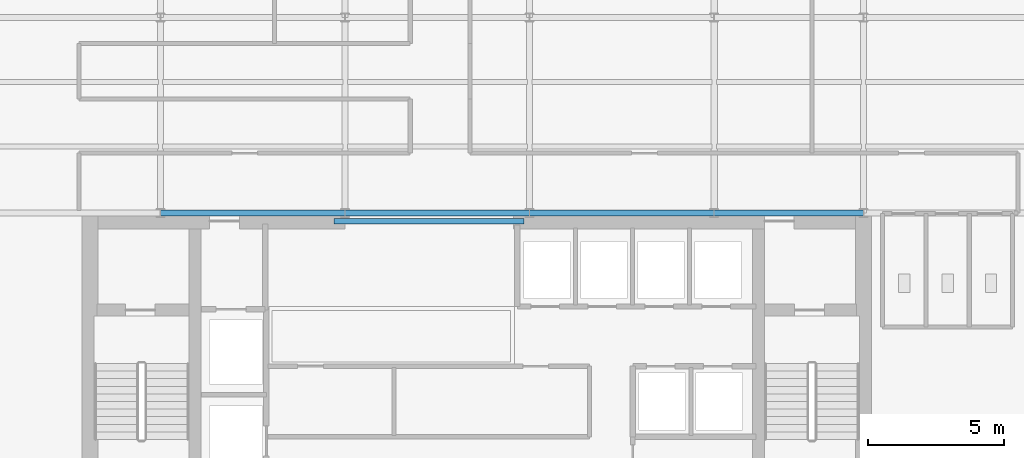
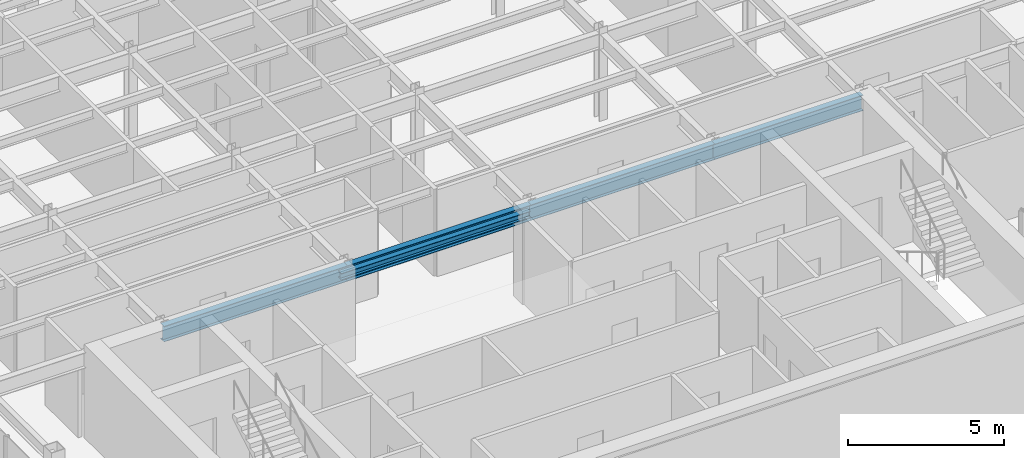
# One storey, part 4 of 22: 5 beams.
"""IFC4 building model written with IfcOpenShell, lengths in metres."""

from ifc_helpers import new_model, si_unit, derived_unit, direction, frame, origin, origin_2d, place, context, subcontext, project, spatial, i_section, extrude, source, transform, mapped, material, material_profile, profile_set, type_object, element, save


model = new_model("IFC4")

# Units and contexts
model_context = context("Model", 3, precision=1e-05, world=origin(), true_north=direction((0.0, 1.0)))
body_context = subcontext(model_context, "Body", "Model", "MODEL_VIEW")
ifc_project = project(units=[si_unit("LENGTHUNIT", "METRE"), si_unit("AREAUNIT", "SQUARE_METRE"), si_unit("VOLUMEUNIT", "CUBIC_METRE"), si_unit("PLANEANGLEUNIT", "RADIAN"), si_unit("MASSUNIT", "GRAM", prefix="KILO"), derived_unit("THERMALTRANSMITTANCEUNIT", [(si_unit("POWERUNIT", "WATT"), 1), (si_unit("LENGTHUNIT", "METRE"), -2), (si_unit("THERMODYNAMICTEMPERATUREUNIT", "KELVIN"), -1)])], contexts=[model_context])

# Site, building, storey
site_placement = place(None, origin())
site = spatial("IfcSite", under=ifc_project, at=site_placement, CompositionType="ELEMENT")
building_placement = place(site_placement, origin())
building = spatial("IfcBuilding", under=site, at=building_placement, Name="Skarnbrae Concourse Arena and Tower", CompositionType="ELEMENT")
storey_placement = place(building_placement, frame((0.0, 0.0, 228.75)))
storey = spatial("IfcBuildingStorey", under=building, at=storey_placement, Name="L59", CompositionType="ELEMENT", Elevation=228.75)

# Beams
ifc_material = material(Name="Steel CSA G40.21 350W", Category="steel")
ifc_material_profile_1 = material_profile(ifc_material, i_section(OverallWidth=0.202880859375, OverallDepth=0.251953125, WebThickness=0.008056640625, FlangeThickness=0.013427734375, at=origin_2d()), Name="W250X58")
ifc_profile_set_1 = profile_set([ifc_material_profile_1], Name="Steel CSA G40.21 350W")
beam_type_1 = type_object("IfcBeamType", Name="BM-LINTEL-W250X58", PredefinedType="LINTEL", material=ifc_profile_set_1)
shared_shape_1 = source(origin(), body_context, "Body", "SweptSolid", [
    extrude(i_section(OverallWidth=0.202880859375, OverallDepth=0.251953125, WebThickness=0.008056640625, FlangeThickness=0.013427734375, at=origin_2d()), origin(), (0.0, 0.0, 1.0), 7.0),
])
beam_1_placement = place(storey_placement, frame((14.0, 13.699951171875, 3.27392578125), z_axis=(1.0, 0.0, 0.0), x_axis=(0.0, 1.0, 0.0)))
element("IfcBeam", 1, at=beam_1_placement, inside=storey, type_object=beam_type_1, Name="L59 Core portal coupling lintel", PredefinedType="LINTEL", context=body_context, shape_type="MappedRepresentation", body=[
    mapped(shared_shape_1, transform((0.0, 0.0, 0.0))),
])
ifc_material_profile_2 = material_profile(ifc_material, i_section(OverallWidth=0.22802734375, OverallDepth=0.60791015625, WebThickness=0.01123046875, FlangeThickness=0.017333984375, at=origin_2d()), Name="W610X113")
ifc_profile_set_2 = profile_set([ifc_material_profile_2], Name="Steel CSA G40.21 350W")
beam_type_2 = type_object("IfcBeamType", Name="BM-GIRD-W610X113", PredefinedType="BEAM", material=ifc_profile_set_2)
shared_shape_2 = source(origin(), body_context, "Body", "SweptSolid", [
    extrude(i_section(OverallWidth=0.22802734375, OverallDepth=0.60791015625, WebThickness=0.01123046875, FlangeThickness=0.017333984375, at=origin_2d()), origin(), (0.0, 0.0, 1.0), 6.7998046875),
])
beam_2_placement = place(storey_placement, frame((7.60009765625, 14.0, 3.095947265625), z_axis=(1.0, 0.0, 0.0), x_axis=(0.0, 1.0, 0.0)))
element("IfcBeam", 2, at=beam_2_placement, inside=storey, type_object=beam_type_2, Name="L59 Primary E-W girder Y14.0-2", PredefinedType="BEAM", context=body_context, shape_type="MappedRepresentation", body=[
    mapped(shared_shape_2, transform((0.0, 0.0, 0.0))),
])
shared_shape_3 = source(origin(), body_context, "Body", "SweptSolid", [
    extrude(i_section(OverallWidth=0.22802734375, OverallDepth=0.60791015625, WebThickness=0.01123046875, FlangeThickness=0.017333984375, at=origin_2d()), origin(), (0.0, 0.0, 1.0), 6.800048828125),
])
for number, where, z_axis, x_axis, name in (
    (3, (14.39990234375, 14.0, 3.095947265625), (1.0, 0.0, 0.0), (0.0, 1.0, 0.0), "L59 Primary E-W girder Y14.0-3"),
    (4, (21.199951171875, 14.0, 3.095947265625), (1.0, 0.0, 0.0), (0.0, 1.0, 0.0), "L59 Primary E-W girder Y14.0-4"),
):
    element("IfcBeam", number, at=place(storey_placement, frame(where, z_axis=z_axis, x_axis=x_axis)), inside=storey, type_object=beam_type_2, Name=name, PredefinedType="BEAM", context=body_context, shape_type="MappedRepresentation", body=[
        mapped(shared_shape_3, transform((0.0, 0.0, 0.0))),
    ])
shared_shape_4 = source(origin(), body_context, "Body", "SweptSolid", [
    extrude(i_section(OverallWidth=0.22802734375, OverallDepth=0.60791015625, WebThickness=0.01123046875, FlangeThickness=0.017333984375, at=origin_2d()), origin(), (0.0, 0.0, 1.0), 5.5),
])
beam_3_placement = place(storey_placement, frame((28.0, 14.0, 3.095947265625), z_axis=(1.0, 0.0, 0.0), x_axis=(0.0, 1.0, 0.0)))
element("IfcBeam", 5, at=beam_3_placement, inside=storey, type_object=beam_type_2, Name="L59 Primary E-W girder Y14.0-5", PredefinedType="BEAM", context=body_context, shape_type="MappedRepresentation", body=[
    mapped(shared_shape_4, transform((0.0, 0.0, 0.0))),
])

save(model, "model.ifc")
